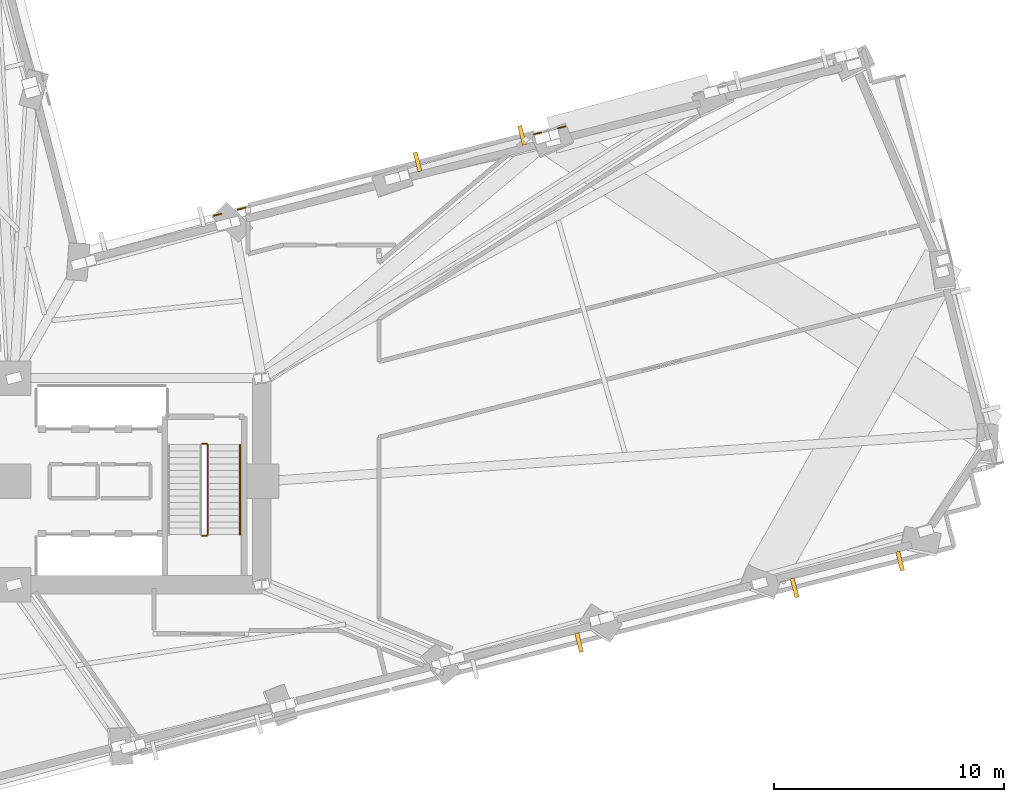
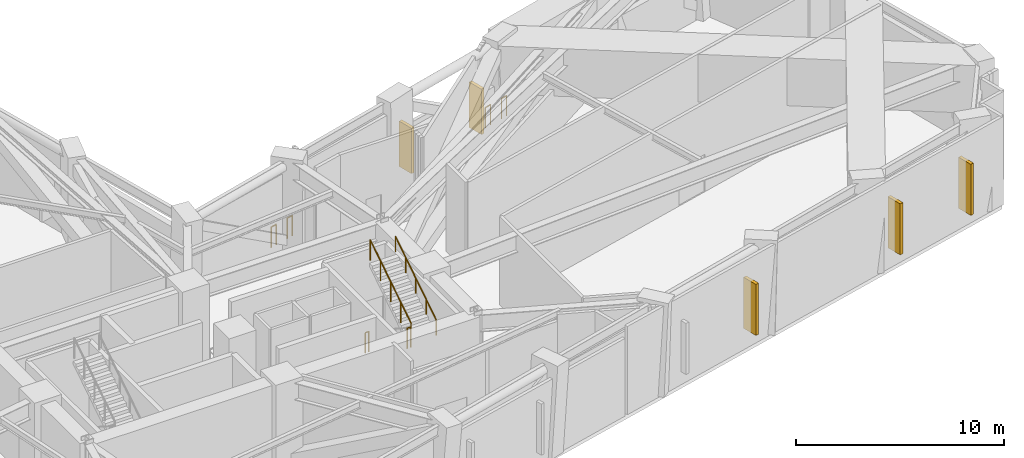
# One storey, part 15 of 17: 8 railings, 5 shading devices.
"""IFC4 building model written with IfcOpenShell, lengths in metres."""

from ifc_helpers import new_model, si_unit, direction, frame, origin, origin_2d, place, context, subcontext, project, spatial, rectangle, circle, extrude, material, layer, layer_set, type_object, element, save


model = new_model("IFC4")

# Units and contexts
model_context = context("Model", 3, precision=1e-05, world=origin(), true_north=direction((0.0, 1.0)))
body_context = subcontext(model_context, "Body", "Model", "MODEL_VIEW")
ifc_project = project(units=[si_unit("LENGTHUNIT", "METRE"), si_unit("AREAUNIT", "SQUARE_METRE"), si_unit("VOLUMEUNIT", "CUBIC_METRE"), si_unit("PLANEANGLEUNIT", "RADIAN"), si_unit("MASSUNIT", "GRAM", prefix="KILO")], contexts=[model_context])

# Site, building, storey
site_placement = place(None, origin())
site = spatial("IfcSite", under=ifc_project, at=site_placement, CompositionType="ELEMENT")
building_placement = place(site_placement, origin())
building = spatial("IfcBuilding", under=site, at=building_placement, Name="Gaonmaruhae Medical Tower", CompositionType="ELEMENT")
storey_placement = place(building_placement, frame((0.0, 0.0, 83.0)))
storey = spatial("IfcBuildingStorey", under=building, at=storey_placement, Name="L19", CompositionType="ELEMENT", Elevation=83.0)

# Railings
ifc_material_1 = material(Name="Stainless steel 316L and laminated safety glass", Category="steel")
ifc_layer = layer(ifc_material_1, 0.080078125)
ifc_layer_set = layer_set([ifc_layer], Name="Stainless steel 316L and laminated safety glass")
railing_type_1 = type_object("IfcRailingType", Name="GD-120 Outdoor Terrace Safety Glass & Steel Balustrade", PredefinedType="BALUSTRADE", material=ifc_layer_set)
railing_1_placement = place(storey_placement, frame((48.8251953125, 27.76904296875, 0.0)))
element("IfcRailing", 1, at=railing_1_placement, inside=storey, type_object=railing_type_1, Name="L19 Perimeter Slab Edge Safety Balustrade 10", PredefinedType="BALUSTRADE", context=body_context, shape_type="SweptSolid", body=[
    extrude(circle(Radius=0.02392578125, at=origin_2d()), frame((0.0, 0.0, 1.17578125), z_axis=(-0.969162715143, -0.246421654035, 0.0), x_axis=(0.246421654035, -0.969162715143, 0.0)), (0.0, 0.0, 1.0), 0.33984375),
    extrude(circle(Radius=0.02099609375, at=origin_2d()), origin(), (0.0, 0.0, 1.0), 1.15185546875),
    extrude(circle(Radius=0.02099609375, at=origin_2d()), frame((-0.329345703125, -0.083740234375, 0.0)), (0.0, 0.0, 1.0), 1.15185546875),
])
for number, where, name in (
    (2, (47.779296875, 27.50341796875, 0.0), "L19 Perimeter Slab Edge Safety Balustrade 11"),
    (3, (34.87646484375, 24.2265625, 0.0), "L19 Perimeter Slab Edge Safety Balustrade 12"),
):
    element("IfcRailing", number, at=place(storey_placement, frame(where)), inside=storey, type_object=railing_type_1, Name=name, PredefinedType="BALUSTRADE", context=body_context, shape_type="SweptSolid", body=[
        extrude(circle(Radius=0.02392578125, at=origin_2d()), frame((0.0, 0.0, 1.17578125), z_axis=(-0.969206295328, -0.246250192072, 0.0), x_axis=(0.246250192072, -0.969206295328, 0.0)), (0.0, 0.0, 1.0), 0.340087890625),
        extrude(circle(Radius=0.02099609375, at=origin_2d()), origin(), (0.0, 0.0, 1.0), 1.15185546875),
        extrude(circle(Radius=0.02099609375, at=origin_2d()), frame((-0.32958984375, -0.083740234375, 0.0)), (0.0, 0.0, 1.0), 1.15185546875),
    ])
railing_2_placement = place(storey_placement, frame((33.830078125, 23.9609375, 0.0)))
element("IfcRailing", 4, at=railing_2_placement, inside=storey, type_object=railing_type_1, Name="L19 Perimeter Slab Edge Safety Balustrade 13", PredefinedType="BALUSTRADE", context=body_context, shape_type="SweptSolid", body=[
    extrude(circle(Radius=0.02392578125, at=origin_2d()), frame((0.0, 0.0, 1.17578125), z_axis=(-0.969162715143, -0.246421654035, 0.0), x_axis=(0.246421654035, -0.969162715143, 0.0)), (0.0, 0.0, 1.0), 0.33984375),
    extrude(circle(Radius=0.02099609375, at=origin_2d()), origin(), (0.0, 0.0, 1.0), 1.15185546875),
    extrude(circle(Radius=0.02099609375, at=origin_2d()), frame((-0.329345703125, -0.083740234375, 0.0)), (0.0, 0.0, 1.0), 1.15185546875),
])
ifc_material_2 = material(Name="Stainless steel 304 handrail", Category="steel")
railing_type_2 = type_object("IfcRailingType", Name="HR-092 Continuous Stainless Steel Stair Handrail", PredefinedType="HANDRAIL", material=ifc_material_2)
railing_3_placement = place(storey_placement, frame((34.64990234375, 9.97998046875, 2.8798828125)))
element("IfcRailing", 5, at=railing_3_placement, inside=storey, type_object=railing_type_2, Name="L19 ST-02 stair handrail 2", PredefinedType="HANDRAIL", context=body_context, shape_type="SweptSolid", body=[
    extrude(circle(Radius=0.02392578125, at=origin_2d()), frame((0.0, 0.0, 0.8759765625), z_axis=(0.0, 0.841171666519, 0.540768182723), x_axis=(-1.0, 0.0, 0.0)), (0.0, 0.0, 1.0), 4.66015625),
    extrude(circle(Radius=0.02099609375, at=origin_2d()), origin(), (0.0, 0.0, 1.0), 0.851806640625),
    extrude(circle(Radius=0.02099609375, at=origin_2d()), frame((0.0, 0.97998046875, 0.6298828125)), (0.0, 0.0, 1.0), 0.851806640625),
    extrude(circle(Radius=0.02099609375, at=origin_2d()), frame((0.0, 1.9599609375, 1.260009765625)), (0.0, 0.0, 1.0), 0.851806640625),
    extrude(circle(Radius=0.02099609375, at=origin_2d()), frame((0.0, 2.93994140625, 1.89013671875)), (0.0, 0.0, 1.0), 0.851806640625),
    extrude(circle(Radius=0.02099609375, at=origin_2d()), frame((0.0, 3.919921875, 2.52001953125)), (0.0, 0.0, 1.0), 0.851806640625),
])

# Shading devices
ifc_material_3 = material(Name="Pigmented coral precast concrete C45/55", Category="concrete")
shading_device_type = type_object("IfcShadingDeviceType", Name="SD-FIN1 Tower Vertical Coral Precast Shading Fin", PredefinedType="USERDEFINED", material=ifc_material_3)
for number, where, z_axis, x_axis, name in (
    (6, (49.425537109375, 5.27978515625, 0.7724609375), (0.0, 0.0, 1.0), (-0.969235205745, -0.246136376721, 0.0), "L19 Vertical Coral Precast Shading Fin S05"),
    (7, (63.41259765625, 8.832275390625, 0.7724609375), (0.0, 0.0, 1.0), (-0.969230909707, -0.246153293029, 0.0), "L19 Vertical Coral Precast Shading Fin S07"),
    (8, (58.814208984375, 7.664306640625, 0.7724609375), (0.0, 0.0, 1.0), (-0.969230909707, -0.246153293029, 0.0), "L19 Vertical Coral Precast Shading Fin S07B"),
):
    element("IfcShadingDevice", number, at=place(storey_placement, frame(where, z_axis=z_axis, x_axis=x_axis)), inside=storey, type_object=shading_device_type, Name=name, ObjectType="FIN", PredefinedType="USERDEFINED", context=body_context, shape_type="SweptSolid", body=[
        extrude(rectangle(XDim=0.179931640625, YDim=0.85009765625, at=origin_2d()), origin(), (0.0, 0.0, 1.0), 3.0),
    ])
for number, where, z_axis, x_axis, name in (
    (9, (42.3857421875, 26.221435546875, 0.0400390625), (0.0, 0.0, 1.0), (0.969230909707, 0.246153293029, 0.0), "L19 Vertical Coral Precast Shading Fin EN02"),
    (10, (46.940673828125, 27.378173828125, 0.0400390625), (0.0, 0.0, 1.0), (0.969230909707, 0.246153293029, 0.0), "L19 Vertical Coral Precast Shading Fin EN02B"),
):
    element("IfcShadingDevice", number, at=place(storey_placement, frame(where, z_axis=z_axis, x_axis=x_axis)), inside=storey, type_object=shading_device_type, Name=name, ObjectType="FIN", PredefinedType="USERDEFINED", context=body_context, shape_type="SweptSolid", body=[
        extrude(rectangle(XDim=0.179931640625, YDim=0.85009765625, at=origin_2d()), origin(), (0.0, 0.0, 1.0), 2.6650390625),
    ])

# Railings
ifc_material_4 = material(Name="Stainless steel 304 balustrade", Category="steel")
railing_type_3 = type_object("IfcRailingType", Name="SG-112 Stair Well & Ramp Void Safety Balustrade", PredefinedType="BALUSTRADE", material=ifc_material_4)
railing_4_placement = place(storey_placement, frame((33.0, 9.929931640625, 2.699951171875)))
element("IfcRailing", 11, at=railing_4_placement, inside=storey, type_object=railing_type_3, Name="L19 ST-02 stair guard 2", PredefinedType="BALUSTRADE", context=body_context, shape_type="SweptSolid", body=[
    extrude(circle(Radius=0.02392578125, at=origin_2d()), frame((0.0, 0.0, 1.17578125), z_axis=(1.0, 0.0, 0.0), x_axis=(0.0, 1.0, 0.0)), (0.0, 0.0, 1.0), 0.199951171875),
    extrude(circle(Radius=0.02099609375, at=origin_2d()), origin(), (0.0, 0.0, 1.0), 1.15185546875),
    extrude(circle(Radius=0.02099609375, at=origin_2d()), frame((0.199951171875, 0.0, 0.0)), (0.0, 0.0, 1.0), 1.15185546875),
])
railing_5_placement = place(storey_placement, frame((33.25, 9.97998046875, 2.8798828125)))
element("IfcRailing", 12, at=railing_5_placement, inside=storey, type_object=railing_type_3, Name="L19 ST-02 stair guard 3", PredefinedType="BALUSTRADE", context=body_context, shape_type="SweptSolid", body=[
    extrude(circle(Radius=0.02392578125, at=origin_2d()), frame((0.0, 0.0, 1.17578125), z_axis=(0.0, 0.841171666519, 0.540768182723), x_axis=(-1.0, 0.0, 0.0)), (0.0, 0.0, 1.0), 4.66015625),
    extrude(circle(Radius=0.02099609375, at=origin_2d()), origin(), (0.0, 0.0, 1.0), 1.15185546875),
    extrude(circle(Radius=0.02099609375, at=origin_2d()), frame((0.0, 0.97998046875, 0.6298828125)), (0.0, 0.0, 1.0), 1.15185546875),
    extrude(circle(Radius=0.02099609375, at=origin_2d()), frame((0.0, 1.9599609375, 1.260009765625)), (0.0, 0.0, 1.0), 1.15185546875),
    extrude(circle(Radius=0.02099609375, at=origin_2d()), frame((0.0, 2.93994140625, 1.89013671875)), (0.0, 0.0, 1.0), 1.15185546875),
    extrude(circle(Radius=0.02099609375, at=origin_2d()), frame((0.0, 3.919921875, 2.52001953125)), (0.0, 0.0, 1.0), 1.15185546875),
])
railing_6_placement = place(storey_placement, frame((33.0, 13.949951171875, 0.0)))
element("IfcRailing", 13, at=railing_6_placement, inside=storey, type_object=railing_type_3, Name="L19 ST-02 stair guard 4", PredefinedType="BALUSTRADE", context=body_context, shape_type="SweptSolid", body=[
    extrude(circle(Radius=0.02392578125, at=origin_2d()), frame((0.0, 0.0, 1.17578125), z_axis=(1.0, 0.0, 0.0), x_axis=(0.0, 1.0, 0.0)), (0.0, 0.0, 1.0), 0.199951171875),
    extrude(circle(Radius=0.02099609375, at=origin_2d()), origin(), (0.0, 0.0, 1.0), 1.15185546875),
    extrude(circle(Radius=0.02099609375, at=origin_2d()), frame((0.199951171875, 0.0, 0.0)), (0.0, 0.0, 1.0), 1.15185546875),
])

save(model, "model.ifc")
